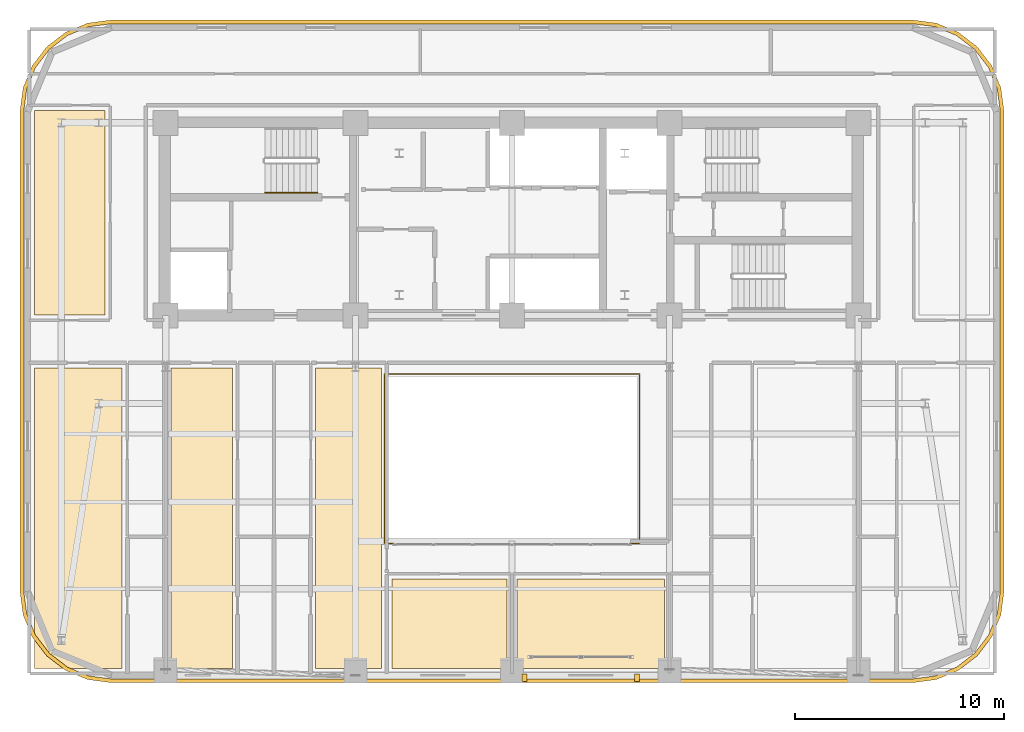
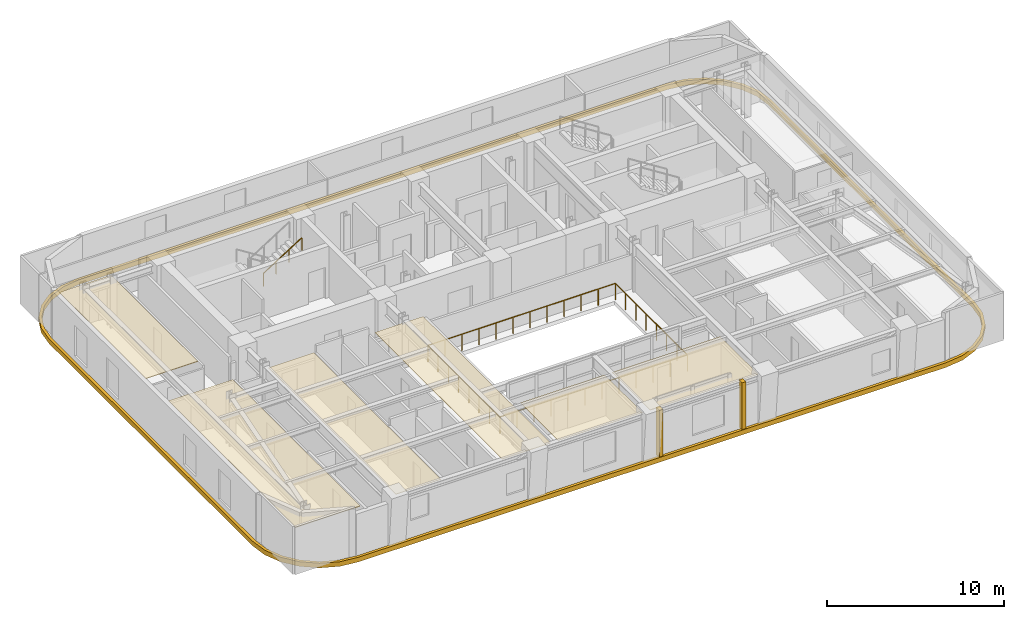
# One storey, part 11 of 13: 9 coverings, 2 railings.
"""IFC4 building model written with IfcOpenShell, lengths in metres."""

import ifcopenshell
import ifcopenshell.guid

model = None  # the IFC model being written
_history = None  # IfcOwnerHistory: only IFC2X3 demands one
_inside = {}  # id of a spatial element -> (the spatial element, [elements in it])
_under = {}  # id of a project, library or spatial element -> (it, [spatial elements below it])
_declared = {}  # id of a project -> (the project, [libraries it declares])
_typed = {}  # id of a type object -> (the type object, [elements of that type])
_made_of = {}  # id of a material, layer set ... -> (it, [elements and type objects made of it])


def new_model(schema):
    """Start an empty IFC model of exactly this schema.

    Asked for "IFC4X3", IfcOpenShell would pick the latest addendum, in which some entities
    have other attributes; the version numbers below select the first issue.
    IFC2X3 requires an IfcOwnerHistory on every rooted entity: one is made here for all.
    """
    global model, _history
    if schema == "IFC4X3":
        model = ifcopenshell.file(schema_version=(4, 3, 0, 0))
    else:
        model = ifcopenshell.file(schema=schema)
    _inside.clear()
    _under.clear()
    _declared.clear()
    _typed.clear()
    _made_of.clear()
    _history = None
    if model.schema == "IFC2X3":
        org = make("IfcOrganization", Name="unknown")
        user = make(
            "IfcPersonAndOrganization",
            ThePerson=make("IfcPerson", FamilyName="unknown"),
            TheOrganization=org,
        )
        app = make(
            "IfcApplication",
            ApplicationDeveloper=org,
            Version="unknown",
            ApplicationFullName="unknown",
            ApplicationIdentifier="unknown",
        )
        _history = make(
            "IfcOwnerHistory",
            OwningUser=user,
            OwningApplication=app,
            ChangeAction="ADDED",
            CreationDate=0,
        )
    return model


def make(cls, **values):
    """One entity of the class cls with the attributes given. An attribute that is None is left unset."""
    return model.create_entity(
        cls, **{name: value for name, value in values.items() if value is not None}
    )


def rooted(cls, **values):
    """An entity with a GlobalId (a new one), such as an element, a storey or a relation."""
    return make(cls, GlobalId=ifcopenshell.guid.new(), OwnerHistory=_history, **values)


def si_unit(unit_type, name, prefix=None):
    """IfcSIUnit, for example si_unit("LENGTHUNIT", "METRE", prefix="MILLI")."""
    return make("IfcSIUnit", UnitType=unit_type, Prefix=prefix, Name=name)


def assignment(units):
    """IfcUnitAssignment: the units of a project."""
    return None if units is None else make("IfcUnitAssignment", Units=units)


def point(xyz):
    """IfcCartesianPoint."""
    return None if xyz is None else make("IfcCartesianPoint", Coordinates=xyz)


def direction(xyz):
    """IfcDirection."""
    return None if xyz is None else make("IfcDirection", DirectionRatios=xyz)


def frame(location, z_axis=None, x_axis=None):
    """IfcAxis2Placement3D, a coordinate frame: its origin and axes. An axis left out is left unset."""
    return make(
        "IfcAxis2Placement3D",
        Location=point(location),
        Axis=direction(z_axis),
        RefDirection=direction(x_axis),
    )


def frame_2d(location, x_axis=None):
    """IfcAxis2Placement2D, a coordinate frame in the plane: its origin and x axis."""
    return make(
        "IfcAxis2Placement2D", Location=point(location), RefDirection=direction(x_axis)
    )


def origin():
    """The frame at (0, 0, 0) with its axes left unset."""
    return frame((0.0, 0.0, 0.0))


def origin_2d():
    """The frame at (0, 0) in the plane with its x axis left unset."""
    return frame_2d((0.0, 0.0))


def place(relative_to, where):
    """IfcLocalPlacement: puts the frame where relative to a parent placement (None: the world)."""
    return make(
        "IfcLocalPlacement", PlacementRelTo=relative_to, RelativePlacement=where
    )


def context(
    kind, dimensions, precision=None, world=None, true_north=None, identifier=None
):
    """IfcGeometricRepresentationContext, for example the 3D "Model" context."""
    return make(
        "IfcGeometricRepresentationContext",
        ContextIdentifier=identifier,
        ContextType=kind,
        CoordinateSpaceDimension=dimensions,
        Precision=precision,
        WorldCoordinateSystem=world,
        TrueNorth=true_north,
    )


def subcontext(parent, identifier, kind, view, scale=None):
    """IfcGeometricRepresentationSubContext, for example "Body" below "Model"."""
    return make(
        "IfcGeometricRepresentationSubContext",
        ContextIdentifier=identifier,
        ContextType=kind,
        ParentContext=parent,
        TargetScale=scale,
        TargetView=view,
    )


def project(units=None, contexts=None):
    """IfcProject with its units and contexts."""
    return rooted(
        "IfcProject",
        Name="project",
        RepresentationContexts=contexts,
        UnitsInContext=assignment(units),
    )


def spatial(cls, under=None, at=None, **own):
    """A site, building, storey or space (cls), placed at a placement, below another one or the project."""
    s = rooted(cls, ObjectPlacement=at, **own)
    if under is not None:
        _under.setdefault(under.id(), (under, []))[1].append(s)
    return s


def polyline(points):
    """IfcPolyline through the points."""
    return make("IfcPolyline", Points=[point(p) for p in points])


def profile(cls, at=None, kind="AREA", **sizes):
    """A parametric profile (cls). Its sizes go by their IFC names, for example OverallWidth=200.0."""
    return make(cls, ProfileType=kind, Position=at, **sizes)


def rectangle(**sizes):
    """IfcRectangleProfileDef."""
    return profile("IfcRectangleProfileDef", **sizes)


def outline(outer, holes=None, kind="AREA"):
    """IfcArbitraryClosedProfileDef: a profile drawn as a closed curve; with holes, ...WithVoids."""
    if holes is None:
        return make("IfcArbitraryClosedProfileDef", ProfileType=kind, OuterCurve=outer)
    return make(
        "IfcArbitraryProfileDefWithVoids",
        ProfileType=kind,
        OuterCurve=outer,
        InnerCurves=holes,
    )


def extrude(swept, where, along, depth):
    """IfcExtrudedAreaSolid: the profile swept, set in the frame where, extruded along a direction by depth."""
    return make(
        "IfcExtrudedAreaSolid",
        SweptArea=swept,
        Position=where,
        ExtrudedDirection=direction(along),
        Depth=depth,
    )


def shape(context_of_items, identifier, shape_type, items):
    """IfcShapeRepresentation: the items that make up one representation, for example the "Body"."""
    return make(
        "IfcShapeRepresentation",
        ContextOfItems=context_of_items,
        RepresentationIdentifier=identifier,
        RepresentationType=shape_type,
        Items=items,
    )


def material(Name=None, Category=None):
    """IfcMaterial."""
    return make("IfcMaterial", Name=Name, Category=Category)


def layer(
    of_material, thickness, ventilated=None, Name=None, Category=None, Priority=None
):
    """IfcMaterialLayer: one layer of a wall or slab, of a material (None: an air gap)."""
    return make(
        "IfcMaterialLayer",
        Material=of_material,
        LayerThickness=thickness,
        IsVentilated=ventilated,
        Name=Name,
        Category=Category,
        Priority=Priority,
    )


def layer_set(layers, Name=None):
    """IfcMaterialLayerSet."""
    return make("IfcMaterialLayerSet", MaterialLayers=layers, LayerSetName=Name)


def made_of(thing, what):
    """Note that an element or type object is made of a material, layer set ...; save() writes the relation."""
    if what is not None:
        _made_of.setdefault(what.id(), (what, []))[1].append(thing)
    return thing


def type_object(cls, material=None, **own):
    """A type object (cls), such as IfcWallType, which elements share."""
    return made_of(rooted(cls, **own), material)


def element(
    cls,
    number,
    at=None,
    inside=None,
    cuts=None,
    type_object=None,
    material=None,
    context=None,
    identifier="Body",
    shape_type=None,
    held_by="IfcProductDefinitionShape",
    body=None,
    shapes=None,
    **own,
):
    """One element of the class cls, such as IfcWall. Its Tag is "e" and its number.

    at: its placement. inside: the storey or other place that contains it. cuts: it is an
    opening in that element (IfcRelVoidsElement). A single representation is given by context,
    identifier, shape_type and body (its items); several are given by shapes. held_by: the class
    of the entity that holds the representations. save() writes the other relations.
    """
    e = rooted(cls, Tag="e%d" % number, ObjectPlacement=at, **own)
    if body is not None:
        shapes = [shape(context, identifier, shape_type, body)]
    if shapes is not None:
        e.Representation = make(held_by, Representations=shapes)
    if inside is not None:
        _inside.setdefault(inside.id(), (inside, []))[1].append(e)
    if cuts is not None:
        rooted(
            "IfcRelVoidsElement", RelatingBuildingElement=cuts, RelatedOpeningElement=e
        )
    if type_object is not None:
        _typed.setdefault(type_object.id(), (type_object, []))[1].append(e)
    return made_of(e, material)


def aggregate(whole, parts):
    """IfcRelAggregates: a whole, such as a stair, and the parts it consists of."""
    return rooted("IfcRelAggregates", RelatingObject=whole, RelatedObjects=parts)


def save(model, path):
    """Write the relations noted so far, then the file.

    IfcRelAggregates (storeys below a building ...), IfcRelContainedInSpatialStructure (elements
    in a storey), IfcRelDefinesByType, IfcRelAssociatesMaterial and IfcRelDeclares: one each for
    every whole, place, type object, material and project.
    """
    for whole, parts in _under.values():
        aggregate(whole, parts)
    for where, things in _inside.values():
        rooted(
            "IfcRelContainedInSpatialStructure",
            RelatedElements=things,
            RelatingStructure=where,
        )
    for kind, things in _typed.values():
        rooted("IfcRelDefinesByType", RelatedObjects=things, RelatingType=kind)
    for what, things in _made_of.values():
        rooted("IfcRelAssociatesMaterial", RelatedObjects=things, RelatingMaterial=what)
    for by, libraries in _declared.values():
        rooted("IfcRelDeclares", RelatingContext=by, RelatedDefinitions=libraries)
    model.write(path)


model = new_model("IFC4")

# Units and contexts
model_context = context("Model", 3, precision=1e-05, world=origin(), true_north=direction((0.0, 1.0)))
body_context = subcontext(model_context, "Body", "Model", "MODEL_VIEW")
ifc_project = project(units=[si_unit("LENGTHUNIT", "METRE"), si_unit("AREAUNIT", "SQUARE_METRE"), si_unit("VOLUMEUNIT", "CUBIC_METRE"), si_unit("PLANEANGLEUNIT", "RADIAN"), si_unit("MASSUNIT", "GRAM", prefix="KILO")], contexts=[model_context])

# Site, building, storey
site_placement = place(None, origin())
site = spatial("IfcSite", under=ifc_project, at=site_placement, CompositionType="ELEMENT")
building_placement = place(site_placement, origin())
building = spatial("IfcBuilding", under=site, at=building_placement, Name="Zarnavel Station Tower", CompositionType="ELEMENT")
storey_placement = place(building_placement, frame((0.0, 0.0, 169.64990234375)))
storey = spatial("IfcBuildingStorey", under=building, at=storey_placement, Name="L46", CompositionType="ELEMENT", Elevation=169.64990234375)

# Coverings
ifc_material_1 = material(Name="Perforated Gypsum and Mineral-Wool Acoustic Ceiling", Category="concrete")
ifc_layer = layer(ifc_material_1, 0.0400390625)
ifc_layer_set = layer_set([ifc_layer], Name="COV_CEIL_ACOUSTIC")
covering_type_1 = type_object("IfcCoveringType", Name="COV_CEIL_ACOUSTIC", PredefinedType="CEILING", material=ifc_layer_set)
covering_1_placement = place(storey_placement, frame((0.0, 0.0, 2.97021484375)))
element("IfcCovering", 1, at=covering_1_placement, inside=storey, type_object=covering_type_1, Name="L46 FNW Acoustic Ceiling", PredefinedType="CEILING", context=body_context, shape_type="SweptSolid", body=[
    extrude(outline(polyline([(5.909912109375, 27.85009765625), (9.300048828125, 27.85009765625), (9.300048828125, 37.64990234375), (5.909912109375, 37.64990234375), (5.909912109375, 27.85009765625)])), origin(), (0.0, 0.0, 1.0), 0.039794921875),
])
covering_2_placement = place(storey_placement, frame((0.0, 0.0, 2.97021484375)))
element("IfcCovering", 2, at=covering_2_placement, inside=storey, type_object=covering_type_1, Name="L46 HW1R Acoustic Ceiling", PredefinedType="CEILING", context=body_context, shape_type="SweptSolid", body=[
    extrude(outline(polyline([(5.909912109375, 10.909912109375), (10.118896484375, 10.909912109375), (10.118896484375, 25.300048828125), (5.909912109375, 25.300048828125), (5.909912109375, 10.909912109375)])), origin(), (0.0, 0.0, 1.0), 0.039794921875),
])
covering_3_placement = place(storey_placement, frame((0.0, 0.0, 2.97021484375)))
element("IfcCovering", 3, at=covering_3_placement, inside=storey, type_object=covering_type_1, Name="L46 HW2R Acoustic Ceiling", PredefinedType="CEILING", context=body_context, shape_type="SweptSolid", body=[
    extrude(outline(polyline([(12.449951171875, 10.909912109375), (15.39404296875, 10.909912109375), (15.39404296875, 25.300048828125), (12.449951171875, 25.300048828125), (12.449951171875, 10.909912109375)])), origin(), (0.0, 0.0, 1.0), 0.039794921875),
])
covering_4_placement = place(storey_placement, frame((0.0, 0.0, 2.97021484375)))
element("IfcCovering", 4, at=covering_4_placement, inside=storey, type_object=covering_type_1, Name="L46 HW3R Acoustic Ceiling", PredefinedType="CEILING", context=body_context, shape_type="SweptSolid", body=[
    extrude(outline(polyline([(19.39404296875, 10.909912109375), (22.550048828125, 10.909912109375), (22.550048828125, 25.300048828125), (19.39404296875, 25.300048828125), (19.39404296875, 10.909912109375)])), origin(), (0.0, 0.0, 1.0), 0.039794921875),
])
covering_5_placement = place(storey_placement, frame((0.0, 0.0, 2.97021484375)))
element("IfcCovering", 5, at=covering_5_placement, inside=storey, type_object=covering_type_1, Name="L46 L45BAR Acoustic Ceiling", PredefinedType="CEILING", context=body_context, shape_type="SweptSolid", body=[
    extrude(outline(polyline([(23.050048828125, 10.909912109375), (28.550048828125, 10.909912109375), (28.550048828125, 15.199951171875), (23.050048828125, 15.199951171875), (23.050048828125, 10.909912109375)])), origin(), (0.0, 0.0, 1.0), 0.039794921875),
])
covering_6_placement = place(storey_placement, frame((0.0, 0.0, 2.97021484375)))
element("IfcCovering", 6, at=covering_6_placement, inside=storey, type_object=covering_type_1, Name="L46 L45STD Acoustic Ceiling", PredefinedType="CEILING", context=body_context, shape_type="SweptSolid", body=[
    extrude(outline(polyline([(29.050048828125, 10.909912109375), (36.10009765625, 10.909912109375), (36.10009765625, 15.199951171875), (29.050048828125, 15.199951171875), (29.050048828125, 10.909912109375)])), origin(), (0.0, 0.0, 1.0), 0.039794921875),
])
ifc_material_2 = material(Name="Precast concrete C45/55 (Pale Travertine Slab Band)", Category="masonry")
covering_type_2 = type_object("IfcCoveringType", Name="COV_TRAVERTINE_BAND", PredefinedType="CLADDING", material=ifc_material_2)
covering_7_placement = place(storey_placement, frame((0.0, 0.0, -0.260009765625)))
element("IfcCovering", 7, at=covering_7_placement, inside=storey, type_object=covering_type_2, Name="L46 Pale Travertine Slab-Edge Band", PredefinedType="CLADDING", context=body_context, shape_type="SweptSolid", body=[
    extrude(outline(polyline([(48.0, 10.219970703125), (49.133544921875, 10.369140625), (50.18994140625, 10.806884765625), (51.09716796875, 11.5029296875), (51.793212890625, 12.409912109375), (52.230712890625, 13.46630859375), (52.3798828125, 14.60009765625), (52.3798828125, 37.60009765625), (52.230712890625, 38.733642578125), (51.793212890625, 39.7900390625), (51.09716796875, 40.697021484375), (50.18994140625, 41.393310546875), (49.133544921875, 41.830810546875), (48.0, 41.97998046875), (9.60009765625, 41.97998046875), (8.46630859375, 41.830810546875), (7.409912109375, 41.393310546875), (6.5029296875, 40.697021484375), (5.806884765625, 39.7900390625), (5.369140625, 38.733642578125), (5.219970703125, 37.60009765625), (5.219970703125, 14.60009765625), (5.369140625, 13.46630859375), (5.806884765625, 12.409912109375), (6.5029296875, 11.5029296875), (7.409912109375, 10.806884765625), (8.46630859375, 10.369140625), (9.60009765625, 10.219970703125), (48.0, 10.219970703125)]), holes=[polyline([(48.0, 10.39990234375), (49.0869140625, 10.543212890625), (50.10009765625, 10.962646484375), (50.9697265625, 11.630126953125), (51.63720703125, 12.5), (52.056884765625, 13.512939453125), (52.199951171875, 14.60009765625), (52.199951171875, 37.60009765625), (52.056884765625, 38.68701171875), (51.63720703125, 39.699951171875), (50.9697265625, 40.56982421875), (50.10009765625, 41.2373046875), (49.0869140625, 41.656982421875), (48.0, 41.800048828125), (9.60009765625, 41.800048828125), (8.512939453125, 41.656982421875), (7.5, 41.2373046875), (6.630126953125, 40.56982421875), (5.962646484375, 39.699951171875), (5.543212890625, 38.68701171875), (5.39990234375, 37.60009765625), (5.39990234375, 14.60009765625), (5.543212890625, 13.512939453125), (5.962646484375, 12.5), (6.630126953125, 11.630126953125), (7.5, 10.962646484375), (8.512939453125, 10.543212890625), (9.60009765625, 10.39990234375), (48.0, 10.39990234375)])]), origin(), (0.0, 0.0, 1.0), 0.320068359375),
])
for number, where, z_axis, x_axis, name in (
    (8, (29.39990234375, 10.449951171875, 0.0), (0.0, 0.0, 1.0), (1.0, 0.0, 0.0), "L46 Travertine Portal Loggia Vertical Jog West"),
    (9, (34.800048828125, 10.449951171875, 0.0), (0.0, 0.0, 1.0), (1.0, 0.0, 0.0), "L46 Travertine Portal Loggia Vertical Jog East"),
):
    element("IfcCovering", number, at=place(storey_placement, frame(where, z_axis=z_axis, x_axis=x_axis)), inside=storey, type_object=covering_type_2, Name=name, PredefinedType="CLADDING", context=body_context, shape_type="SweptSolid", body=[
        extrude(rectangle(XDim=0.239990234375, YDim=0.360107421875, at=origin_2d()), origin(), (0.0, 0.0, 1.0), 3.2900390625),
    ])

# Railings
ifc_material_3 = material(Name="Painted Steel S355J2 Balustrade", Category="steel")
railing_type_1 = type_object("IfcRailingType", Name="GR_INT_1150", PredefinedType="GUARDRAIL", material=ifc_material_3)
railing_1_placement = place(storey_placement, frame((22.679931640625, 16.8798828125, 0.0)))
element("IfcRailing", 10, at=railing_1_placement, inside=storey, type_object=railing_type_1, Name="L46 Atrium Void Guardrail", PredefinedType="GUARDRAIL", context=body_context, shape_type="SweptSolid", body=[
    extrude(rectangle(XDim=0.048095703125, YDim=0.048095703125, at=origin_2d()), frame((0.001953125, 0.0, 1.1259765625), z_axis=(1.0, 0.0, 0.0), x_axis=(0.0, 1.0, 0.0)), (0.0, 0.0, 1.0), 12.236083984375),
    extrude(rectangle(XDim=0.048095703125, YDim=0.048095703125, at=origin_2d()), frame((12.239990234375, 0.001953125, 1.1259765625), z_axis=(0.0, 1.0, 0.0), x_axis=(-1.0, 0.0, 0.0)), (0.0, 0.0, 1.0), 8.13623046875),
    extrude(rectangle(XDim=0.048095703125, YDim=0.048095703125, at=origin_2d()), frame((12.238037109375, 8.14013671875, 1.1259765625), z_axis=(-1.0, 0.0, 0.0), x_axis=(0.0, -1.0, 0.0)), (0.0, 0.0, 1.0), 12.236083984375),
    extrude(rectangle(XDim=0.048095703125, YDim=0.048095703125, at=origin_2d()), frame((0.0, 8.13818359375, 1.1259765625), z_axis=(0.0, -1.0, 0.0), x_axis=(1.0, 0.0, 0.0)), (0.0, 0.0, 1.0), 8.13623046875),
    extrude(rectangle(XDim=0.0419921875, YDim=0.0419921875, at=origin_2d()), origin(), (0.0, 0.0, 1.0), 1.101806640625),
    extrude(rectangle(XDim=0.0419921875, YDim=0.0419921875, at=origin_2d()), frame((1.11279296875, 0.0, 0.0)), (0.0, 0.0, 1.0), 1.101806640625),
    extrude(rectangle(XDim=0.0419921875, YDim=0.0419921875, at=origin_2d()), frame((2.225341796875, 0.0, 0.0)), (0.0, 0.0, 1.0), 1.101806640625),
    extrude(rectangle(XDim=0.0419921875, YDim=0.0419921875, at=origin_2d()), frame((3.338134765625, 0.0, 0.0)), (0.0, 0.0, 1.0), 1.101806640625),
    extrude(rectangle(XDim=0.0419921875, YDim=0.0419921875, at=origin_2d()), frame((4.450927734375, 0.0, 0.0)), (0.0, 0.0, 1.0), 1.101806640625),
    extrude(rectangle(XDim=0.0419921875, YDim=0.0419921875, at=origin_2d()), frame((5.563720703125, 0.0, 0.0)), (0.0, 0.0, 1.0), 1.101806640625),
    extrude(rectangle(XDim=0.0419921875, YDim=0.0419921875, at=origin_2d()), frame((6.67626953125, 0.0, 0.0)), (0.0, 0.0, 1.0), 1.101806640625),
    extrude(rectangle(XDim=0.0419921875, YDim=0.0419921875, at=origin_2d()), frame((7.7890625, 0.0, 0.0)), (0.0, 0.0, 1.0), 1.101806640625),
    extrude(rectangle(XDim=0.0419921875, YDim=0.0419921875, at=origin_2d()), frame((8.90185546875, 0.0, 0.0)), (0.0, 0.0, 1.0), 1.101806640625),
    extrude(rectangle(XDim=0.0419921875, YDim=0.0419921875, at=origin_2d()), frame((10.0146484375, 0.0, 0.0)), (0.0, 0.0, 1.0), 1.101806640625),
    extrude(rectangle(XDim=0.0419921875, YDim=0.0419921875, at=origin_2d()), frame((11.127197265625, 0.0, 0.0)), (0.0, 0.0, 1.0), 1.101806640625),
    extrude(rectangle(XDim=0.0419921875, YDim=0.0419921875, at=origin_2d()), frame((12.239990234375, 0.0, 0.0)), (0.0, 0.0, 1.0), 1.101806640625),
    extrude(rectangle(XDim=0.0419921875, YDim=0.0419921875, at=origin_2d()), frame((12.239990234375, 1.162841796875, 0.0)), (0.0, 0.0, 1.0), 1.101806640625),
    extrude(rectangle(XDim=0.0419921875, YDim=0.0419921875, at=origin_2d()), frame((12.239990234375, 2.32568359375, 0.0)), (0.0, 0.0, 1.0), 1.101806640625),
    extrude(rectangle(XDim=0.0419921875, YDim=0.0419921875, at=origin_2d()), frame((12.239990234375, 3.488525390625, 0.0)), (0.0, 0.0, 1.0), 1.101806640625),
    extrude(rectangle(XDim=0.0419921875, YDim=0.0419921875, at=origin_2d()), frame((12.239990234375, 4.651611328125, 0.0)), (0.0, 0.0, 1.0), 1.101806640625),
    extrude(rectangle(XDim=0.0419921875, YDim=0.0419921875, at=origin_2d()), frame((12.239990234375, 5.814453125, 0.0)), (0.0, 0.0, 1.0), 1.101806640625),
    extrude(rectangle(XDim=0.0419921875, YDim=0.0419921875, at=origin_2d()), frame((12.239990234375, 6.977294921875, 0.0)), (0.0, 0.0, 1.0), 1.101806640625),
    extrude(rectangle(XDim=0.0419921875, YDim=0.0419921875, at=origin_2d()), frame((12.239990234375, 8.14013671875, 0.0)), (0.0, 0.0, 1.0), 1.101806640625),
    extrude(rectangle(XDim=0.0419921875, YDim=0.0419921875, at=origin_2d()), frame((11.127197265625, 8.14013671875, 0.0)), (0.0, 0.0, 1.0), 1.101806640625),
    extrude(rectangle(XDim=0.0419921875, YDim=0.0419921875, at=origin_2d()), frame((10.0146484375, 8.14013671875, 0.0)), (0.0, 0.0, 1.0), 1.101806640625),
    extrude(rectangle(XDim=0.0419921875, YDim=0.0419921875, at=origin_2d()), frame((8.90185546875, 8.14013671875, 0.0)), (0.0, 0.0, 1.0), 1.101806640625),
    extrude(rectangle(XDim=0.0419921875, YDim=0.0419921875, at=origin_2d()), frame((7.7890625, 8.14013671875, 0.0)), (0.0, 0.0, 1.0), 1.101806640625),
    extrude(rectangle(XDim=0.0419921875, YDim=0.0419921875, at=origin_2d()), frame((6.67626953125, 8.14013671875, 0.0)), (0.0, 0.0, 1.0), 1.101806640625),
    extrude(rectangle(XDim=0.0419921875, YDim=0.0419921875, at=origin_2d()), frame((5.563720703125, 8.14013671875, 0.0)), (0.0, 0.0, 1.0), 1.101806640625),
    extrude(rectangle(XDim=0.0419921875, YDim=0.0419921875, at=origin_2d()), frame((4.450927734375, 8.14013671875, 0.0)), (0.0, 0.0, 1.0), 1.101806640625),
    extrude(rectangle(XDim=0.0419921875, YDim=0.0419921875, at=origin_2d()), frame((3.338134765625, 8.14013671875, 0.0)), (0.0, 0.0, 1.0), 1.101806640625),
    extrude(rectangle(XDim=0.0419921875, YDim=0.0419921875, at=origin_2d()), frame((2.225341796875, 8.14013671875, 0.0)), (0.0, 0.0, 1.0), 1.101806640625),
    extrude(rectangle(XDim=0.0419921875, YDim=0.0419921875, at=origin_2d()), frame((1.11279296875, 8.14013671875, 0.0)), (0.0, 0.0, 1.0), 1.101806640625),
    extrude(rectangle(XDim=0.0419921875, YDim=0.0419921875, at=origin_2d()), frame((0.0, 8.14013671875, 0.0)), (0.0, 0.0, 1.0), 1.101806640625),
    extrude(rectangle(XDim=0.0419921875, YDim=0.0419921875, at=origin_2d()), frame((0.0, 6.977294921875, 0.0)), (0.0, 0.0, 1.0), 1.101806640625),
    extrude(rectangle(XDim=0.0419921875, YDim=0.0419921875, at=origin_2d()), frame((0.0, 5.814453125, 0.0)), (0.0, 0.0, 1.0), 1.101806640625),
    extrude(rectangle(XDim=0.0419921875, YDim=0.0419921875, at=origin_2d()), frame((0.0, 4.651611328125, 0.0)), (0.0, 0.0, 1.0), 1.101806640625),
    extrude(rectangle(XDim=0.0419921875, YDim=0.0419921875, at=origin_2d()), frame((0.0, 3.488525390625, 0.0)), (0.0, 0.0, 1.0), 1.101806640625),
    extrude(rectangle(XDim=0.0419921875, YDim=0.0419921875, at=origin_2d()), frame((0.0, 2.32568359375, 0.0)), (0.0, 0.0, 1.0), 1.101806640625),
    extrude(rectangle(XDim=0.0419921875, YDim=0.0419921875, at=origin_2d()), frame((0.0, 1.162841796875, 0.0)), (0.0, 0.0, 1.0), 1.101806640625),
])
ifc_material_4 = material(Name="Brushed Stainless Steel S355J2 Handrail", Category="steel")
railing_type_2 = type_object("IfcRailingType", Name="HR_STAIR_900", PredefinedType="HANDRAIL", material=ifc_material_4)
railing_2_placement = place(storey_placement, frame((16.9599609375, 33.7099609375, 1.95263671875)))
element("IfcRailing", 11, at=railing_2_placement, inside=storey, type_object=railing_type_2, Name="L46 ST1 stair handrail 2", PredefinedType="HANDRAIL", context=body_context, shape_type="SweptSolid", body=[
    extrude(rectangle(XDim=0.048095703125, YDim=0.048095703125, at=origin_2d()), frame((0.001708984375, 0.0, 0.876953125), z_axis=(0.84460694969, 0.0, 0.535386869969), x_axis=(0.0, 1.0, 0.0)), (0.0, 0.0, 1.0), 2.979736328125),
    extrude(rectangle(XDim=0.0419921875, YDim=0.0419921875, at=origin_2d()), origin(), (0.0, 0.0, 1.0), 0.851806640625),
    extrude(rectangle(XDim=0.0419921875, YDim=0.0419921875, at=origin_2d()), frame((0.840087890625, 0.0, 0.532470703125)), (0.0, 0.0, 1.0), 0.851806640625),
    extrude(rectangle(XDim=0.0419921875, YDim=0.0419921875, at=origin_2d()), frame((1.679931640625, 0.0, 1.06494140625)), (0.0, 0.0, 1.0), 0.851806640625),
    extrude(rectangle(XDim=0.0419921875, YDim=0.0419921875, at=origin_2d()), frame((2.52001953125, 0.0, 1.597412109375)), (0.0, 0.0, 1.0), 0.851806640625),
])

save(model, "model.ifc")
